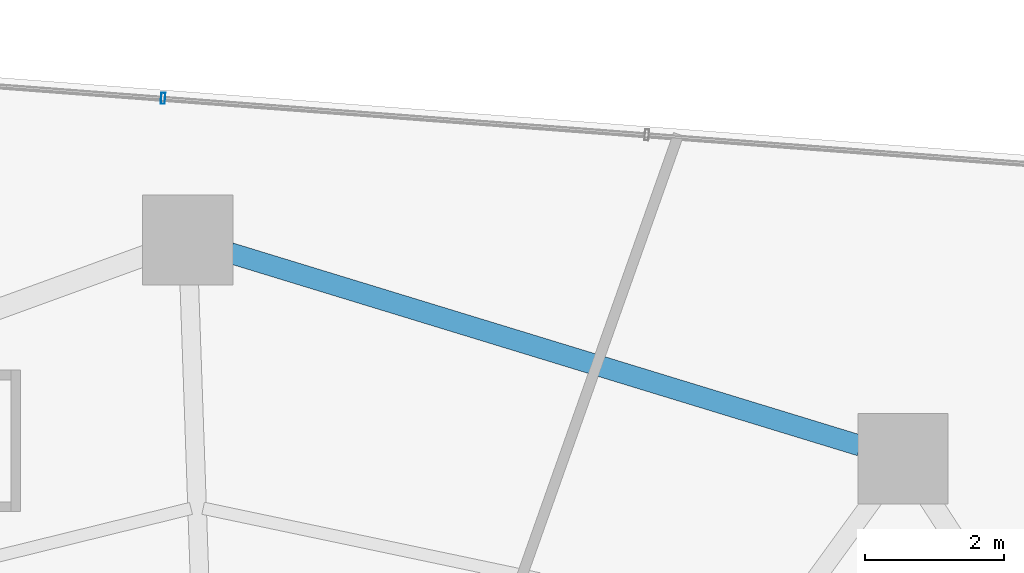
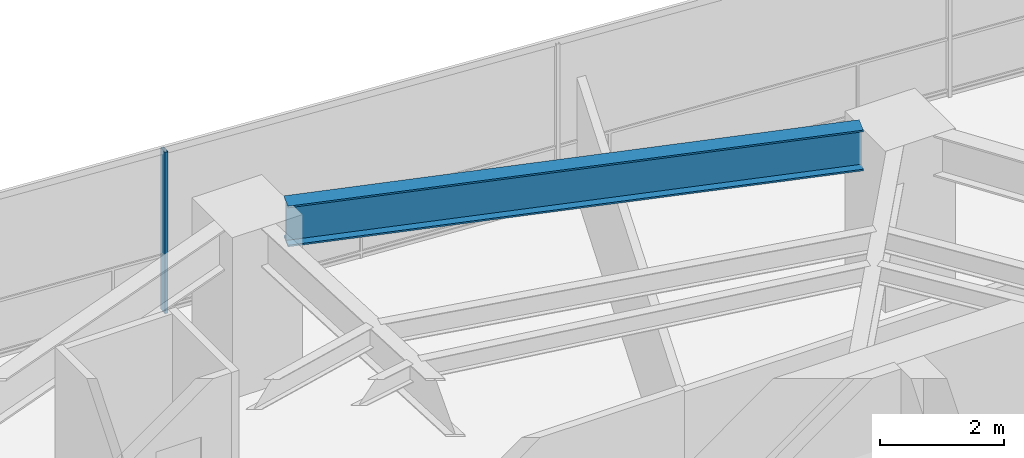
# One storey, part 20 of 30: 1 beam, 1 member, 1 element without a shape of its own.
"""IFC4 building model written with IfcOpenShell, lengths in metres."""

from ifc_helpers import new_model, si_unit, direction, frame, origin, origin_2d, place, context, subcontext, project, spatial, hollow_rectangle, i_section, extrude, material, layer, layer_set, material_profile, profile_set, type_object, element, aggregate, save


model = new_model("IFC4")

# Units and contexts
model_context = context("Model", 3, precision=1e-05, world=origin(), true_north=direction((0.0, 1.0)))
body_context = subcontext(model_context, "Body", "Model", "MODEL_VIEW")
ifc_project = project(units=[si_unit("LENGTHUNIT", "METRE"), si_unit("AREAUNIT", "SQUARE_METRE"), si_unit("VOLUMEUNIT", "CUBIC_METRE"), si_unit("PLANEANGLEUNIT", "RADIAN"), si_unit("MASSUNIT", "GRAM", prefix="KILO")], contexts=[model_context])

# Site, building, storey
site_placement = place(None, origin())
site = spatial("IfcSite", under=ifc_project, at=site_placement, CompositionType="ELEMENT")
building_placement = place(site_placement, origin())
building = spatial("IfcBuilding", under=site, at=building_placement, Name="Qarnah Convention Tower", CompositionType="ELEMENT")
storey_placement = place(building_placement, frame((0.0, 0.0, 51.14990234375)))
storey = spatial("IfcBuildingStorey", under=building, at=storey_placement, Name="L12", CompositionType="ELEMENT", Elevation=51.14990234375)

# Beam
ifc_material_1 = material(Name="Structural steel S355JR", Category="steel")
ifc_material_profile_1 = material_profile(ifc_material_1, i_section(OverallWidth=0.300048828125, OverallDepth=0.800048828125, WebThickness=0.01806640625, FlangeThickness=0.032958984375, at=origin_2d()), Name="HEB800")
ifc_profile_set_1 = profile_set([ifc_material_profile_1], Name="Structural steel S355JR")
beam_type = type_object("IfcBeamType", Name="BM-RING-HEB800", PredefinedType="BEAM", material=ifc_profile_set_1)
beam_placement = place(storey_placement, frame((46.31591796875, 39.97607421875, 2.77001953125), z_axis=(-0.956298871663, 0.292390950707, 0.0), x_axis=(-0.292390950707, -0.956298871663, 0.0)))
element("IfcBeam", 1, at=beam_placement, inside=storey, type_object=beam_type, Name="L12 beam BM-L12-SPN-02", PredefinedType="BEAM", context=body_context, shape_type="SweptSolid", body=[
    extrude(i_section(OverallWidth=0.300048828125, OverallDepth=0.800048828125, WebThickness=0.01806640625, FlangeThickness=0.032958984375, at=origin_2d()), origin(), (0.0, 0.0, 1.0), 9.4970703125),
])

# Curtain wall, member
ifc_material_2 = material(Name="Tempered Low-E dark glass", Category="glass")
ifc_layer = layer(ifc_material_2, 0.16796875)
ifc_layer_set = layer_set([ifc_layer], Name="Tempered Low-E dark glass")
curtain_wall_type = type_object("IfcCurtainWallType", Name="CWS-01", PredefinedType="NOTDEFINED", material=ifc_layer_set)
curtain_wall_placement = place(storey_placement, origin())
curtain_wall = element("IfcCurtainWall", 2, at=curtain_wall_placement, inside=storey, type_object=curtain_wall_type, Name="L12 unitised curtain wall CW-L12-F2", PredefinedType="NOTDEFINED")
ifc_material_3 = material(Name="Black anodised aluminium", Category="aluminium")
ifc_material_profile_2 = material_profile(ifc_material_3, hollow_rectangle(XDim=0.06005859375, YDim=0.159912109375, WallThickness=0.00390625, at=origin_2d()), Name="MUL-60X160")
ifc_profile_set_2 = profile_set([ifc_material_profile_2], Name="Black anodised aluminium")
member_type = type_object("IfcMemberType", Name="MUL-T1", PredefinedType="MULLION", material=ifc_profile_set_2)
member_placement = place(storey_placement, frame((36.266357421875, 44.98291015625, 0.0), z_axis=(0.0, 0.0, 1.0), x_axis=(0.997159055393, -0.07532475189, 0.0)))
member = element("IfcMember", 3, at=member_placement, type_object=member_type, Name="CW-L12-F2 mullion 3", PredefinedType="MULLION", context=body_context, shape_type="SweptSolid", body=[
    extrude(hollow_rectangle(XDim=0.06005859375, YDim=0.159912109375, WallThickness=0.00390625, at=origin_2d()), origin(), (0.0, 0.0, 1.0), 3.170166015625),
])
aggregate(curtain_wall, [member])

save(model, "model.ifc")
